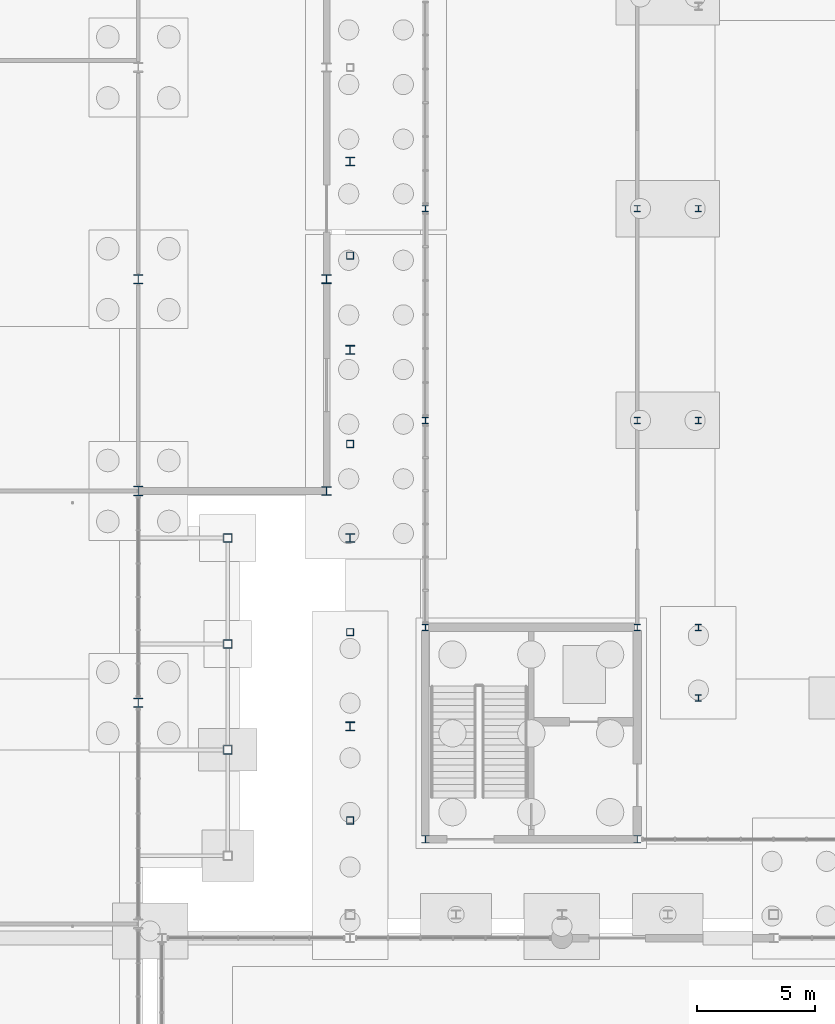
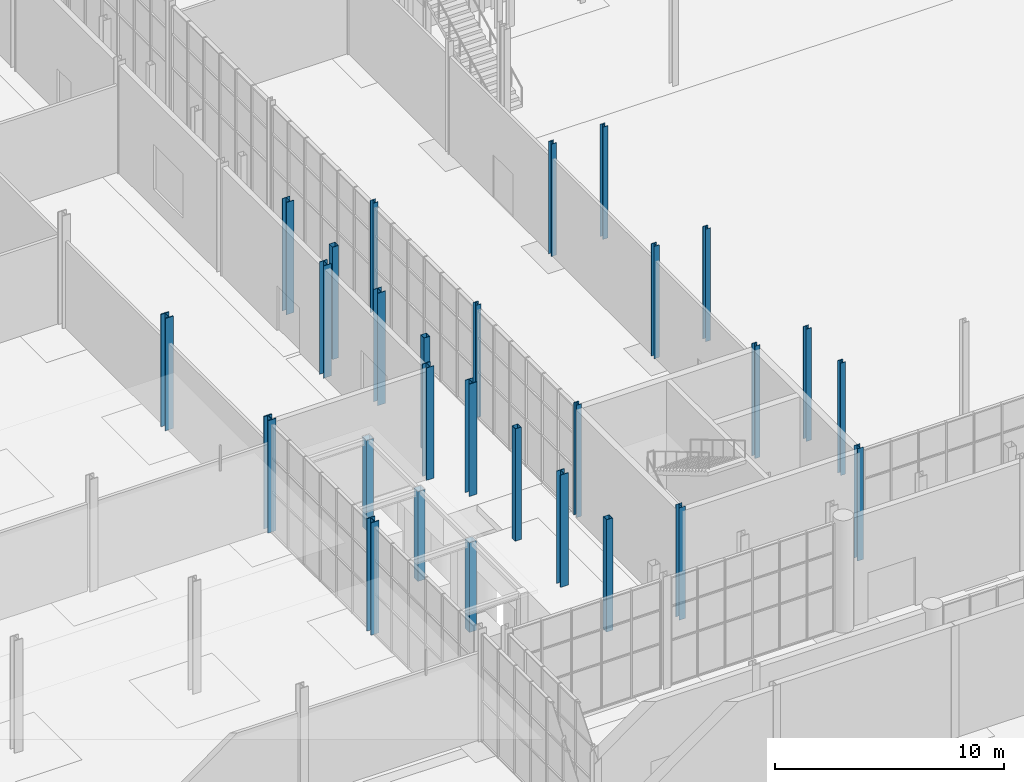
# One storey, part 18 of 131: 28 columns.
"""IFC4 building model written with IfcOpenShell, lengths in metres."""

from ifc_helpers import new_model, si_unit, direction, frame, origin, origin_2d, place, context, subcontext, project, spatial, hollow_rectangle, i_section, extrude, material, material_profile, profile_set, type_object, element, save


model = new_model("IFC4")

# Units and contexts
model_context = context("Model", 3, precision=1e-05, world=origin(), true_north=direction((0.0, 1.0)))
body_context = subcontext(model_context, "Body", "Model", "MODEL_VIEW")
ifc_project = project(units=[si_unit("LENGTHUNIT", "METRE"), si_unit("AREAUNIT", "SQUARE_METRE"), si_unit("VOLUMEUNIT", "CUBIC_METRE"), si_unit("PLANEANGLEUNIT", "RADIAN"), si_unit("MASSUNIT", "GRAM", prefix="KILO")], contexts=[model_context])

# Site, building, storey
site_placement = place(None, origin())
site = spatial("IfcSite", under=ifc_project, at=site_placement, CompositionType="ELEMENT")
building_placement = place(site_placement, origin())
building = spatial("IfcBuilding", under=site, at=building_placement, Name="Cazmaro Siding Exhibition Halls", CompositionType="ELEMENT")
storey_placement = place(building_placement, origin())
storey = spatial("IfcBuildingStorey", under=building, at=storey_placement, Name="L00", CompositionType="ELEMENT", Elevation=0.0)

# Columns
ifc_material_1 = material(Name="Steel ASTM A992 Grade 50", Category="steel")
ifc_material_profile_1 = material_profile(ifc_material_1, i_section(OverallWidth=0.406005859375, OverallDepth=0.416015625, WebThickness=0.030029296875, FlangeThickness=0.048095703125, at=origin_2d()), Name="W14X257")
ifc_profile_set_1 = profile_set([ifc_material_profile_1], Name="Steel ASTM A992 Grade 50")
column_type_1 = type_object("IfcColumnType", Name="C-01", PredefinedType="COLUMN", material=ifc_profile_set_1)
for number, where, z_axis, x_axis, name in (
    (1, (36.0, 73.0, 0.0), (0.0, 0.0, 1.0), (1.0, 0.0, 0.0), "Column C-01 COL-1049"),
    (2, (36.0, 82.0, 0.0), (0.0, 0.0, 1.0), (1.0, 0.0, 0.0), "Column C-01 COL-1053"),
    (3, (36.0, 91.0, 0.0), (0.0, 0.0, 1.0), (1.0, 0.0, 0.0), "Column C-01 COL-1057"),
):
    element("IfcColumn", number, at=place(storey_placement, frame(where, z_axis=z_axis, x_axis=x_axis)), inside=storey, type_object=column_type_1, Name=name, PredefinedType="COLUMN", context=body_context, shape_type="SweptSolid", body=[
        extrude(i_section(OverallWidth=0.406005859375, OverallDepth=0.416015625, WebThickness=0.030029296875, FlangeThickness=0.048095703125, at=origin_2d()), origin(), (0.0, 0.0, 1.0), 6.0),
    ])
ifc_material_2 = material(Name="Steel ASTM A992 Grade 50", Category="steel")
ifc_material_profile_2 = material_profile(ifc_material_2, i_section(OverallWidth=0.39208984375, OverallDepth=0.3759765625, WebThickness=0.01708984375, FlangeThickness=0.028076171875, at=origin_2d()), Name="W14X145")
ifc_profile_set_2 = profile_set([ifc_material_profile_2], Name="Steel ASTM A992 Grade 50")
column_type_2 = type_object("IfcColumnType", Name="C-03", PredefinedType="COLUMN", material=ifc_profile_set_2)
for number, where, z_axis, x_axis, name in (
    (4, (45.0, 72.0, 0.0), (0.0, 0.0, 1.0), (1.0, 0.0, 0.0), "Column C-03 COL-0178"),
    (5, (45.0, 80.0, 0.0), (0.0, 0.0, 1.0), (1.0, 0.0, 0.0), "Column C-03 COL-0184"),
    (6, (45.0, 88.0, 0.0), (0.0, 0.0, 1.0), (1.0, 0.0, 0.0), "Column C-03 COL-0190"),
    (7, (45.0, 96.0, 0.0), (0.0, 0.0, 1.0), (1.0, 0.0, 0.0), "Column C-03 COL-0196"),
    (8, (44.0, 82.0, 0.0), (0.0, 0.0, 1.0), (1.0, 0.0, 0.0), "Column C-03 COL-1081"),
    (9, (44.0, 91.0, 0.0), (0.0, 0.0, 1.0), (1.0, 0.0, 0.0), "Column C-03 COL-1083"),
):
    element("IfcColumn", number, at=place(storey_placement, frame(where, z_axis=z_axis, x_axis=x_axis)), inside=storey, type_object=column_type_2, Name=name, PredefinedType="COLUMN", context=body_context, shape_type="SweptSolid", body=[
        extrude(i_section(OverallWidth=0.39208984375, OverallDepth=0.3759765625, WebThickness=0.01708984375, FlangeThickness=0.028076171875, at=origin_2d()), origin(), (0.0, 0.0, 1.0), 6.0),
    ])
ifc_material_3 = material(Name="Steel ASTM A992 Grade 50", Category="steel")
ifc_material_profile_3 = material_profile(ifc_material_3, i_section(OverallWidth=0.304931640625, OverallDepth=0.306884765625, WebThickness=0.010009765625, FlangeThickness=0.014892578125, at=origin_2d()), Name="W12X65")
ifc_profile_set_3 = profile_set([ifc_material_profile_3], Name="Steel ASTM A992 Grade 50")
column_type_3 = type_object("IfcColumnType", Name="C-06", PredefinedType="COLUMN", material=ifc_profile_set_3)
for number, where, z_axis, x_axis, name in (
    (10, (48.199951171875, 67.199951171875, 0.0), (0.0, 0.0, 1.0), (1.0, 0.0, 0.0), "Column C-06 COL-0259"),
    (11, (57.199951171875, 67.199951171875, 0.0), (0.0, 0.0, 1.0), (1.0, 0.0, 0.0), "Column C-06 COL-0267"),
):
    element("IfcColumn", number, at=place(storey_placement, frame(where, z_axis=z_axis, x_axis=x_axis)), inside=storey, type_object=column_type_3, Name=name, PredefinedType="COLUMN", context=body_context, shape_type="SweptSolid", body=[
        extrude(i_section(OverallWidth=0.304931640625, OverallDepth=0.306884765625, WebThickness=0.010009765625, FlangeThickness=0.014892578125, at=origin_2d()), origin(), (0.0, 0.0, 1.0), 6.0),
    ])
ifc_material_4 = material(Name="Steel ASTM A500 Grade C", Category="steel")
ifc_material_profile_4 = material_profile(ifc_material_4, hollow_rectangle(XDim=0.35595703125, YDim=0.35595703125, WallThickness=0.014892578125, at=origin_2d()), Name="HSS14X14X5/8")
ifc_profile_set_4 = profile_set([ifc_material_profile_4], Name="Steel ASTM A500 Grade C")
column_type_4 = type_object("IfcColumnType", Name="C-10", PredefinedType="COLUMN", material=ifc_profile_set_4)
for number, where, z_axis, x_axis, name in (
    (12, (39.800048828125, 71.0, 0.0), (0.0, 0.0, 1.0), (1.0, 0.0, 0.0), "Column C-10 COL-1150"),
    (13, (39.800048828125, 75.5, 0.0), (0.0, 0.0, 1.0), (1.0, 0.0, 0.0), "Column C-10 COL-1151"),
    (14, (39.800048828125, 80.0, 0.0), (0.0, 0.0, 1.0), (1.0, 0.0, 0.0), "Column C-10 COL-1152"),
):
    element("IfcColumn", number, at=place(storey_placement, frame(where, z_axis=z_axis, x_axis=x_axis)), inside=storey, type_object=column_type_4, Name=name, PredefinedType="COLUMN", context=body_context, shape_type="SweptSolid", body=[
        extrude(hollow_rectangle(XDim=0.35595703125, YDim=0.35595703125, WallThickness=0.014892578125, at=origin_2d()), origin(), (0.0, 0.0, 1.0), 4.800048828125),
    ])
ifc_material_5 = material(Name="Steel ASTM A992 Grade 50", Category="steel")
ifc_material_profile_5 = material_profile(ifc_material_5, i_section(OverallWidth=0.257080078125, OverallDepth=0.263916015625, WebThickness=0.011962890625, FlangeThickness=0.02001953125, at=origin_2d()), Name="W10X68")
ifc_profile_set_5 = profile_set([ifc_material_profile_5], Name="Steel ASTM A992 Grade 50")
column_type_5 = type_object("IfcColumnType", Name="C-14", PredefinedType="COLUMN", material=ifc_profile_set_5)
for number, where, z_axis, x_axis, name in (
    (15, (48.199951171875, 76.199951171875, 0.0), (0.0, 0.0, 1.0), (1.0, 0.0, 0.0), "Column C-14 COL-0391"),
    (16, (48.199951171875, 85.0, 0.0), (0.0, 0.0, 1.0), (1.0, 0.0, 0.0), "Column C-14 COL-0394"),
    (17, (48.199951171875, 94.0, 0.0), (0.0, 0.0, 1.0), (1.0, 0.0, 0.0), "Column C-14 COL-0397"),
    (18, (57.199951171875, 76.199951171875, 0.0), (0.0, 0.0, 1.0), (1.0, 0.0, 0.0), "Column C-14 COL-0403"),
    (19, (57.199951171875, 85.0, 0.0), (0.0, 0.0, 1.0), (1.0, 0.0, 0.0), "Column C-14 COL-0406"),
    (20, (57.199951171875, 94.0, 0.0), (0.0, 0.0, 1.0), (1.0, 0.0, 0.0), "Column C-14 COL-0408"),
    (21, (59.800048828125, 76.199951171875, 0.0), (0.0, 0.0, 1.0), (1.0, 0.0, 0.0), "Column C-14 COL-0412"),
    (22, (59.800048828125, 85.0, 0.0), (0.0, 0.0, 1.0), (1.0, 0.0, 0.0), "Column C-14 COL-0414"),
    (23, (59.800048828125, 94.0, 0.0), (0.0, 0.0, 1.0), (1.0, 0.0, 0.0), "Column C-14 COL-0416"),
    (24, (59.800048828125, 73.199951171875, 0.0), (0.0, 0.0, 1.0), (1.0, 0.0, 0.0), "Column C-14 COL-0449"),
):
    element("IfcColumn", number, at=place(storey_placement, frame(where, z_axis=z_axis, x_axis=x_axis)), inside=storey, type_object=column_type_5, Name=name, PredefinedType="COLUMN", context=body_context, shape_type="SweptSolid", body=[
        extrude(i_section(OverallWidth=0.257080078125, OverallDepth=0.263916015625, WebThickness=0.011962890625, FlangeThickness=0.02001953125, at=origin_2d()), origin(), (0.0, 0.0, 1.0), 6.0),
    ])
ifc_material_6 = material(Name="Steel ASTM A500 Grade C", Category="steel")
ifc_material_profile_6 = material_profile(ifc_material_6, hollow_rectangle(XDim=0.304931640625, YDim=0.304931640625, WallThickness=0.014892578125, at=origin_2d()), Name="HSS12X12X5/8")
ifc_profile_set_6 = profile_set([ifc_material_profile_6], Name="Steel ASTM A500 Grade C")
column_type_6 = type_object("IfcColumnType", Name="PL-02", PredefinedType="PILASTER", material=ifc_profile_set_6)
for number, where, z_axis, x_axis, name in (
    (25, (45.0, 68.0, 0.0), (0.0, 0.0, 1.0), (1.0, 0.0, 0.0), "Column PL-02 COL-0175"),
    (26, (45.0, 76.0, 0.0), (0.0, 0.0, 1.0), (1.0, 0.0, 0.0), "Column PL-02 COL-0181"),
    (27, (45.0, 84.0, 0.0), (0.0, 0.0, 1.0), (1.0, 0.0, 0.0), "Column PL-02 COL-0187"),
    (28, (45.0, 92.0, 0.0), (0.0, 0.0, 1.0), (1.0, 0.0, 0.0), "Column PL-02 COL-0193"),
):
    element("IfcColumn", number, at=place(storey_placement, frame(where, z_axis=z_axis, x_axis=x_axis)), inside=storey, type_object=column_type_6, Name=name, PredefinedType="PILASTER", context=body_context, shape_type="SweptSolid", body=[
        extrude(hollow_rectangle(XDim=0.304931640625, YDim=0.304931640625, WallThickness=0.014892578125, at=origin_2d()), origin(), (0.0, 0.0, 1.0), 6.0),
    ])

save(model, "model.ifc")
